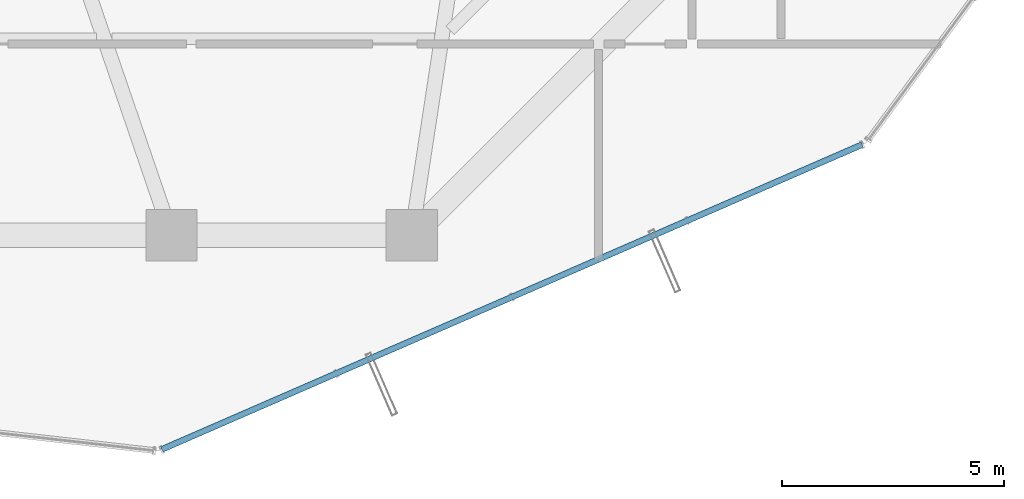
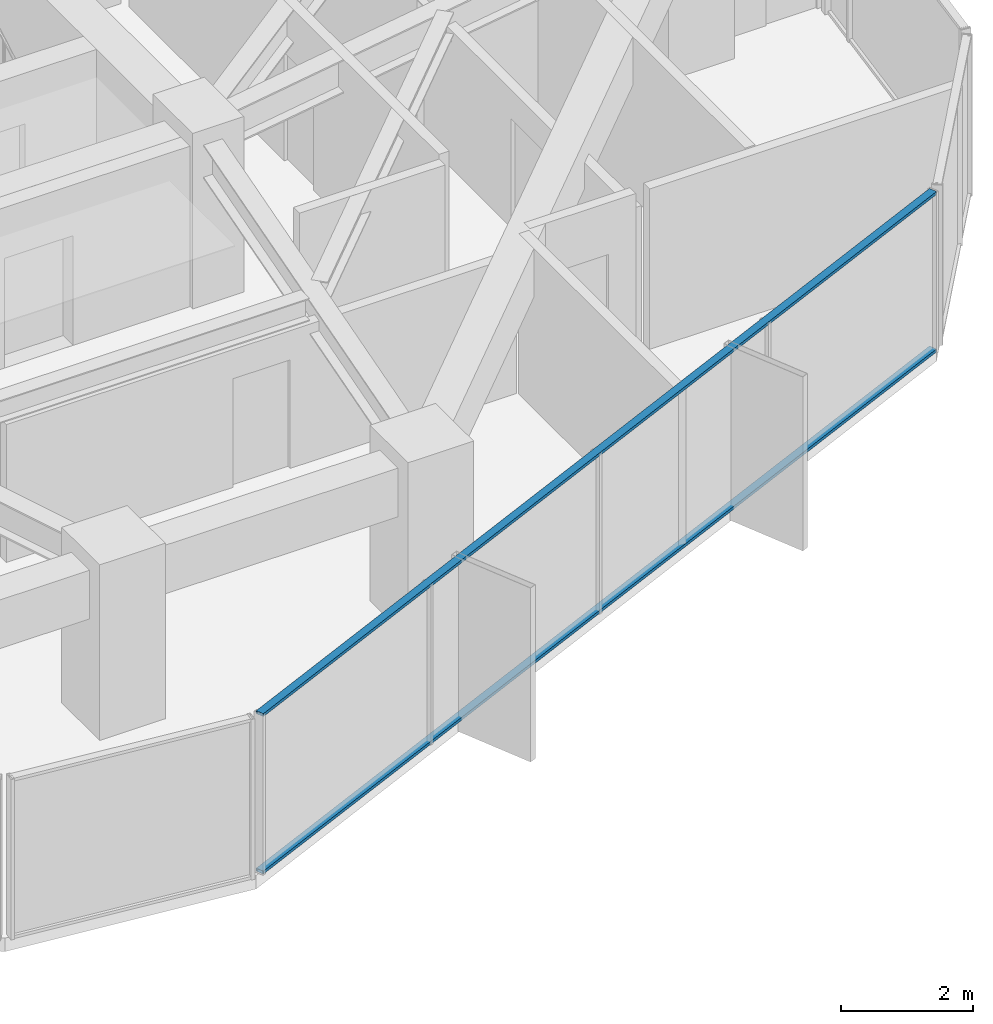
# One storey, part 7 of 29: 2 members, 1 element without a shape of its own.
"""IFC4 building model written with IfcOpenShell, lengths in metres."""

from ifc_helpers import new_model, si_unit, direction, frame, origin, origin_2d, place, context, subcontext, project, spatial, hollow_rectangle, extrude, source, transform, mapped, material, layer, layer_set, material_profile, profile_set, type_object, element, aggregate, save


model = new_model("IFC4")

# Units and contexts
model_context = context("Model", 3, precision=1e-05, world=origin(), true_north=direction((0.0, 1.0)))
body_context = subcontext(model_context, "Body", "Model", "MODEL_VIEW")
ifc_project = project(units=[si_unit("LENGTHUNIT", "METRE"), si_unit("AREAUNIT", "SQUARE_METRE"), si_unit("VOLUMEUNIT", "CUBIC_METRE"), si_unit("PLANEANGLEUNIT", "RADIAN"), si_unit("MASSUNIT", "GRAM", prefix="KILO")], contexts=[model_context])

# Site, building, storey
site_placement = place(None, origin())
site = spatial("IfcSite", under=ifc_project, at=site_placement, CompositionType="ELEMENT")
building_placement = place(site_placement, origin())
building = spatial("IfcBuilding", under=site, at=building_placement, Name="Veraguas Prism Commons", CompositionType="ELEMENT")
storey_placement = place(building_placement, frame((0.0, 0.0, 105.699951171875)))
storey = spatial("IfcBuildingStorey", under=building, at=storey_placement, Name="L29", CompositionType="ELEMENT", Elevation=105.699951171875)

# Curtain wall, members
ifc_material = material(Name="Anodised aluminium EN AW-6063 T6", Category="aluminium")
ifc_layer = layer(ifc_material, 0.169921875, Name="Unitised Flush Curtain Wall Zone 2", Category="aluminium")
ifc_layer_set = layer_set([ifc_layer], Name="Anodised aluminium EN AW-6063 T6")
curtain_wall_type = type_object("IfcCurtainWallType", Name="Unitised Flush Curtain Wall Zone 2", PredefinedType="NOTDEFINED", material=ifc_layer_set)
curtain_wall_placement = place(storey_placement, origin())
curtain_wall = element("IfcCurtainWall", 1, at=curtain_wall_placement, inside=storey, type_object=curtain_wall_type, Name="Tower Facade Curtain Wall L29-F5", PredefinedType="NOTDEFINED")
ifc_material_profile = material_profile(ifc_material, hollow_rectangle(XDim=0.054931640625, YDim=0.135009765625, WallThickness=0.0029296875, at=origin_2d()), Name="AL55X135X3")
ifc_profile_set = profile_set([ifc_material_profile], Name="Anodised aluminium EN AW-6063 T6")
member_type = type_object("IfcMemberType", Name="Curtain Wall Transom Standard AL 55x135x3", PredefinedType="USERDEFINED", material=ifc_profile_set)
shared_shape = source(origin(), body_context, "Body", "SweptSolid", [
    extrude(hollow_rectangle(XDim=0.054931640625, YDim=0.135009765625, WallThickness=0.0029296875, at=origin_2d()), origin(), (0.0, 0.0, 1.0), 17.17431640625),
])
member_1_placement = place(storey_placement, frame((23.78125, 2.984375, 0.027587890625), z_axis=(0.916921058387, 0.399068631548, 0.0), x_axis=(0.0, 0.0, 1.0)))
member_1 = element("IfcMember", 2, at=member_1_placement, type_object=member_type, Name="CW-Z2 Transom 1", ObjectType="TRANSOM", PredefinedType="USERDEFINED", context=body_context, shape_type="MappedRepresentation", body=[
    mapped(shared_shape, transform((0.0, 0.0, 0.0), scale=1.0)),
])
member_2_placement = place(storey_placement, frame((23.78125, 2.984375, 2.942626953125), z_axis=(0.916921058387, 0.399068631548, 0.0), x_axis=(0.0, 0.0, 1.0)))
member_2 = element("IfcMember", 3, at=member_2_placement, type_object=member_type, Name="CW-Z2 Transom 2", ObjectType="TRANSOM", PredefinedType="USERDEFINED", context=body_context, shape_type="MappedRepresentation", body=[
    mapped(shared_shape, transform((0.0, 0.0, 0.0), scale=1.0)),
])
aggregate(curtain_wall, [member_1, member_2])

save(model, "model.ifc")
